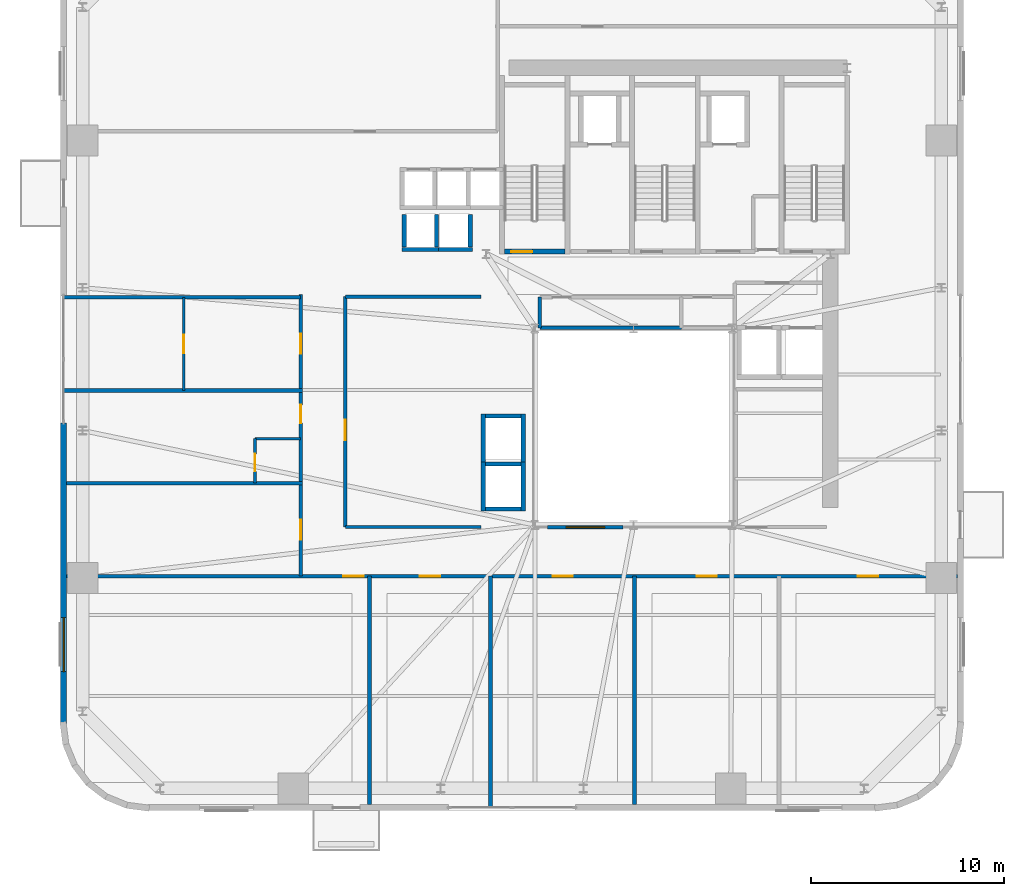
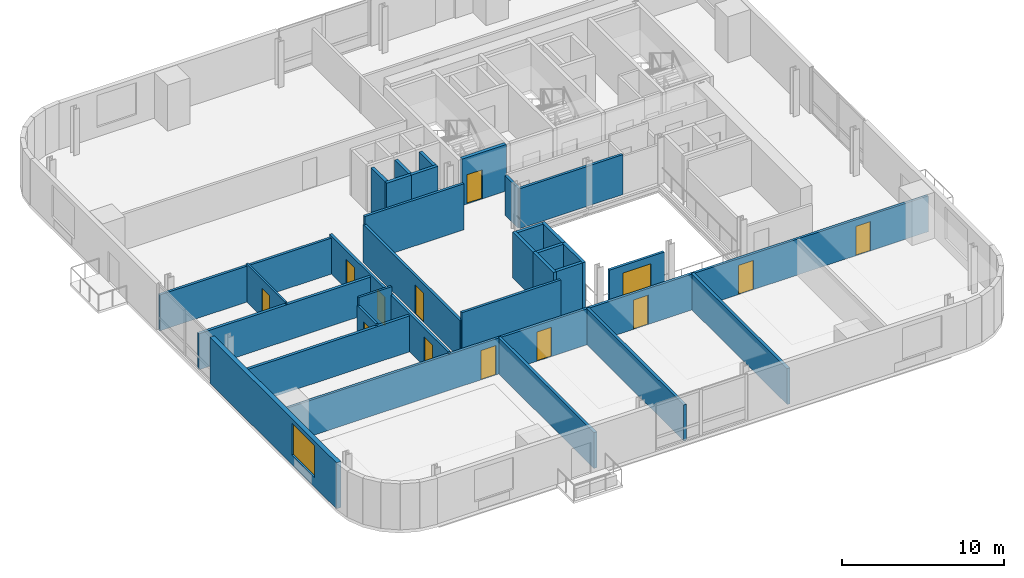
# One storey, part 6 of 12: 31 walls, 12 doors, 2 windows, 14 openings.
"""IFC4 building model written with IfcOpenShell, lengths in metres."""

from ifc_helpers import new_model, si_unit, direction, frame, frame_2d, origin, place, context, subcontext, project, spatial, rectangle, extrude, source, transform, mapped, material, layer, layer_set, type_object, element, fill, save


model = new_model("IFC4")

# Units and contexts
model_context = context("Model", 3, precision=1e-05, world=origin(), true_north=direction((0.0, 1.0)))
body_context = subcontext(model_context, "Body", "Model", "MODEL_VIEW")
ifc_project = project(units=[si_unit("LENGTHUNIT", "METRE"), si_unit("AREAUNIT", "SQUARE_METRE"), si_unit("VOLUMEUNIT", "CUBIC_METRE"), si_unit("PLANEANGLEUNIT", "RADIAN"), si_unit("MASSUNIT", "GRAM", prefix="KILO")], contexts=[model_context])

# Site, building, storey
site_placement = place(None, origin())
site = spatial("IfcSite", under=ifc_project, at=site_placement, CompositionType="ELEMENT")
building_placement = place(site_placement, origin())
building = spatial("IfcBuilding", under=site, at=building_placement, Name="Vardaveli Station Tower", CompositionType="ELEMENT")
storey_placement = place(building_placement, frame((0.0, 0.0, 118.699951171875)))
storey = spatial("IfcBuildingStorey", under=building, at=storey_placement, Name="L30", CompositionType="ELEMENT", Elevation=118.699951171875)

# Wall, opening, window
ifc_material_1 = material(Name="Precast concrete C45/55", Category="concrete")
ifc_layer_1 = layer(ifc_material_1, 0.320068359375, Name="Precast concrete C45/55")
ifc_layer_set_1 = layer_set([ifc_layer_1], Name="Precast concrete C45/55")
wall_type_1 = type_object("IfcWallType", Name="WAL-EXT-STONE-320", PredefinedType="SOLIDWALL", material=ifc_layer_set_1)
shared_shape_1 = source(origin(), body_context, "Body", "SweptSolid", [
    extrude(rectangle(XDim=15.599853515625, YDim=0.320068359375, at=frame_2d((7.7998046875, 0.0))), origin(), (0.0, 0.0, 1.0), 3.4599609375),
])
wall_1_placement = place(storey_placement, frame((6.760009765625, 21.89990234375, 0.0), z_axis=(0.0, 0.0, 1.0), x_axis=(0.0, -1.0, 0.0)))
wall_1 = element("IfcWall", 1, at=wall_1_placement, inside=storey, type_object=wall_type_1, Name="EW-L30-W2", PredefinedType="SOLIDWALL", context=body_context, shape_type="MappedRepresentation", body=[
    mapped(shared_shape_1, transform((0.0, 0.0, 0.0), scale=1.0)),
])
shared_shape_2 = source(origin(), body_context, "Body", "SweptSolid", [
    extrude(rectangle(XDim=2.800048828125, YDim=2.39990234375, at=frame_2d((1.39990234375, 1.199951171875))), frame((0.0, 0.169921875, 0.0), z_axis=(0.0, -1.0, 0.0), x_axis=(1.0, 0.0, 0.0)), (0.0, 0.0, 1.0), 0.340087890625),
])
opening_1_placement = place(wall_1_placement, frame((10.094970703125, 0.0, 0.719970703125)))
opening_1 = element("IfcOpeningElement", 2, at=opening_1_placement, cuts=wall_1, Name="Opening W-04", PredefinedType="OPENING", context=body_context, shape_type="MappedRepresentation", body=[
    mapped(shared_shape_2, transform((0.0, 0.0, 0.0), scale=1.0)),
])
ifc_material_2 = material(Name="Low-E solar-control glass", Category="glass")
window_type_1 = type_object("IfcWindowType", Name="WIN-SUITE-2800x2400", PartitioningType="SINGLE_PANEL", PredefinedType="WINDOW", material=ifc_material_2)
shared_shape_3 = source(origin(), body_context, "Body", "SweptSolid", [
    extrude(rectangle(XDim=2.800048828125, YDim=2.39990234375, at=frame_2d((1.39990234375, 1.199951171875))), frame((0.0, 0.030029296875, 0.0), z_axis=(0.0, -1.0, 0.0), x_axis=(1.0, 0.0, 0.0)), (0.0, 0.0, 1.0), 0.06005859375),
])
window_1_placement = place(opening_1_placement, origin())
window_1 = element("IfcWindow", 3, at=window_1_placement, inside=storey, type_object=window_type_1, Name="WN-L30-W2", OverallHeight=2.39990234375, OverallWidth=2.800048828125, PartitioningType="SINGLE_PANEL", PredefinedType="WINDOW", context=body_context, shape_type="MappedRepresentation", body=[
    mapped(shared_shape_3, transform((0.0, 0.0, 0.0), scale=1.0)),
])
fill(opening_1, window_1)

# Wall, opening, door
ifc_material_3 = material(Name="Concrete C40/50", Category="concrete")
ifc_layer_2 = layer(ifc_material_3, 0.25, Name="Concrete C40/50")
ifc_layer_set_2 = layer_set([ifc_layer_2], Name="Concrete C40/50")
wall_type_2 = type_object("IfcWallType", Name="WAL-SHAFT-250", PredefinedType="SOLIDWALL", material=ifc_layer_set_2)
shared_shape_4 = source(origin(), body_context, "Body", "SweptSolid", [
    extrude(rectangle(XDim=3.14990234375, YDim=0.25, at=frame_2d((1.574951171875, 0.0))), origin(), (0.0, 0.0, 1.0), 3.5),
])
wall_2_placement = place(storey_placement, frame((29.60009765625, 30.77490234375, 0.0), z_axis=(0.0, 0.0, 1.0), x_axis=(1.0, 0.0, 0.0)))
wall_2 = element("IfcWall", 4, at=wall_2_placement, inside=storey, type_object=wall_type_2, Name="W-L30-ST-1S", PredefinedType="SOLIDWALL", context=body_context, shape_type="MappedRepresentation", body=[
    mapped(shared_shape_4, transform((0.0, 0.0, 0.0), scale=1.0)),
])
shared_shape_5 = source(origin(), body_context, "Body", "SweptSolid", [
    extrude(rectangle(XDim=1.10009765625, YDim=2.199951171875, at=frame_2d((0.550048828125, 1.10009765625))), frame((0.0, 0.135009765625, 0.0), z_axis=(0.0, -1.0, 0.0), x_axis=(1.0, 0.0, 0.0)), (0.0, 0.0, 1.0), 0.27001953125),
])
opening_2_placement = place(wall_2_placement, frame((0.35009765625, 0.0, 0.0)))
opening_2 = element("IfcOpeningElement", 5, at=opening_2_placement, cuts=wall_2, Name="Opening D-04", PredefinedType="OPENING", context=body_context, shape_type="MappedRepresentation", body=[
    mapped(shared_shape_5, transform((0.0, 0.0, 0.0), scale=1.0)),
])
ifc_material_4 = material(Name="Steel smokeproof fire doorset", Category="steel")
door_type_1 = type_object("IfcDoorType", Name="DR-ST-1100x2200", OperationType="NOTDEFINED", PredefinedType="DOOR", material=ifc_material_4)
shared_shape_6 = source(origin(), body_context, "Body", "SweptSolid", [
    extrude(rectangle(XDim=1.10009765625, YDim=2.199951171875, at=frame_2d((0.550048828125, 1.10009765625))), frame((0.0, 0.02490234375, 0.0), z_axis=(0.0, -1.0, 0.0), x_axis=(1.0, 0.0, 0.0)), (0.0, 0.0, 1.0), 0.050048828125),
])
door_1_placement = place(opening_2_placement, origin())
door_1 = element("IfcDoor", 6, at=door_1_placement, inside=storey, type_object=door_type_1, Name="DST-1-L30", OperationType="SINGLE_SWING_LEFT", OverallHeight=2.199951171875, OverallWidth=1.10009765625, PredefinedType="DOOR", context=body_context, shape_type="MappedRepresentation", body=[
    mapped(shared_shape_6, transform((0.0, 0.0, 0.0), scale=1.0)),
])
fill(opening_2, door_1)

# Walls
ifc_layer_3 = layer(ifc_material_3, 0.219970703125, Name="Concrete C40/50")
ifc_layer_set_3 = layer_set([ifc_layer_3], Name="Concrete C40/50")
wall_type_3 = type_object("IfcWallType", Name="WAL-FFLOBBY-220", PredefinedType="SOLIDWALL", material=ifc_layer_set_3)
shared_shape_7 = source(origin(), body_context, "Body", "SweptSolid", [
    extrude(rectangle(XDim=1.89013671875, YDim=0.219970703125, at=frame_2d((0.945068359375, 0.0))), origin(), (0.0, 0.0, 1.0), 3.4599609375),
])
for number, where, z_axis, x_axis, name in (
    (7, (24.304931640625, 30.889892578125, 0.0), (0.0, 0.0, 1.0), (1.0, 0.0, 0.0), "SHW-SHU-01-L30-S"),
    (8, (26.054931640625, 30.889892578125, 0.0), (0.0, 0.0, 1.0), (1.0, 0.0, 0.0), "SHW-SHU-02-L30-S"),
):
    element("IfcWall", number, at=place(storey_placement, frame(where, z_axis=z_axis, x_axis=x_axis)), inside=storey, type_object=wall_type_3, Name=name, PredefinedType="SOLIDWALL", context=body_context, shape_type="MappedRepresentation", body=[
        mapped(shared_shape_7, transform((0.0, 0.0, 0.0), scale=1.0)),
    ])
shared_shape_8 = source(origin(), body_context, "Body", "SweptSolid", [
    extrude(rectangle(XDim=1.699951171875, YDim=0.219970703125, at=frame_2d((0.85009765625, 0.0))), origin(), (0.0, 0.0, 1.0), 3.4599609375),
])
for number, where, z_axis, x_axis, name in (
    (9, (24.4150390625, 31.0, 0.0), (0.0, 0.0, 1.0), (0.0, 1.0, 0.0), "SHW-SHU-01-L30-W"),
    (10, (26.0849609375, 31.0, 0.0), (0.0, 0.0, 1.0), (0.0, 1.0, 0.0), "SHW-SHU-01-L30-E"),
    (11, (27.8349609375, 31.0, 0.0), (0.0, 0.0, 1.0), (0.0, 1.0, 0.0), "SHW-SHU-02-L30-E"),
):
    element("IfcWall", number, at=place(storey_placement, frame(where, z_axis=z_axis, x_axis=x_axis)), inside=storey, type_object=wall_type_3, Name=name, PredefinedType="SOLIDWALL", context=body_context, shape_type="MappedRepresentation", body=[
        mapped(shared_shape_8, transform((0.0, 0.0, 0.0), scale=1.0)),
    ])
shared_shape_9 = source(origin(), body_context, "Body", "SweptSolid", [
    extrude(rectangle(XDim=1.85009765625, YDim=0.219970703125, at=frame_2d((0.925048828125, 0.0))), origin(), (0.0, 0.0, 1.0), 3.4599609375),
])
for number, where, z_axis, x_axis, name in (
    (12, (28.625, 17.43994140625, 0.0), (0.0, 0.0, 1.0), (1.0, 0.0, 0.0), "SHW-OBS-01-L30-S"),
    (13, (28.625, 19.760009765625, 0.0), (0.0, 0.0, 1.0), (1.0, 0.0, 0.0), "SHW-OBS-01-L30-N"),
    (14, (28.625, 22.260009765625, 0.0), (0.0, 0.0, 1.0), (1.0, 0.0, 0.0), "SHW-OBS-02-L30-N"),
):
    element("IfcWall", number, at=place(storey_placement, frame(where, z_axis=z_axis, x_axis=x_axis)), inside=storey, type_object=wall_type_3, Name=name, PredefinedType="SOLIDWALL", context=body_context, shape_type="MappedRepresentation", body=[
        mapped(shared_shape_9, transform((0.0, 0.0, 0.0), scale=1.0)),
    ])
shared_shape_10 = source(origin(), body_context, "Body", "SweptSolid", [
    extrude(rectangle(XDim=2.5400390625, YDim=0.219970703125, at=frame_2d((1.27001953125, 0.0))), origin(), (0.0, 0.0, 1.0), 3.4599609375),
])
for number, where, z_axis, x_axis, name in (
    (15, (28.514892578125, 17.330078125, 0.0), (0.0, 0.0, 1.0), (0.0, 1.0, 0.0), "SHW-OBS-01-L30-W"),
    (16, (30.5849609375, 17.330078125, 0.0), (0.0, 0.0, 1.0), (0.0, 1.0, 0.0), "SHW-OBS-01-L30-E"),
    (17, (28.514892578125, 19.830078125, 0.0), (0.0, 0.0, 1.0), (0.0, 1.0, 0.0), "SHW-OBS-02-L30-W"),
    (18, (30.5849609375, 19.830078125, 0.0), (0.0, 0.0, 1.0), (0.0, 1.0, 0.0), "SHW-OBS-02-L30-E"),
):
    element("IfcWall", number, at=place(storey_placement, frame(where, z_axis=z_axis, x_axis=x_axis)), inside=storey, type_object=wall_type_3, Name=name, PredefinedType="SOLIDWALL", context=body_context, shape_type="MappedRepresentation", body=[
        mapped(shared_shape_10, transform((0.0, 0.0, 0.0), scale=1.0)),
    ])
ifc_material_5 = material(Name="Moisture-resistant stud partition")
ifc_layer_4 = layer(ifc_material_5, 0.14990234375, Name="Moisture-resistant stud partition")
ifc_layer_set_4 = layer_set([ifc_layer_4], Name="Moisture-resistant stud partition")
wall_type_4 = type_object("IfcWallType", Name="WAL-WET-150", PredefinedType="PARTITIONING", material=ifc_layer_set_4)
shared_shape_11 = source(origin(), body_context, "Body", "SweptSolid", [
    extrude(rectangle(XDim=2.360107421875, YDim=0.14990234375, at=frame_2d((1.18017578125, 0.0))), origin(), (0.0, 0.0, 1.0), 3.4599609375),
])
wall_3_placement = place(storey_placement, frame((16.679931640625, 21.076904296875, 0.0), z_axis=(0.0, 0.0, 1.0), x_axis=(1.0, 0.0, 0.0)))
element("IfcWall", 19, at=wall_3_placement, inside=storey, type_object=wall_type_4, Name="W-L30-BW2-N", PredefinedType="PARTITIONING", context=body_context, shape_type="MappedRepresentation", body=[
    mapped(shared_shape_11, transform((0.0, 0.0, 0.0), scale=1.0)),
])

# Wall, openings, doors
ifc_material_6 = material(Name="Fire-rated gypsum stud partition")
ifc_layer_5 = layer(ifc_material_6, 0.179931640625, Name="Fire-rated gypsum stud partition")
ifc_layer_set_5 = layer_set([ifc_layer_5], Name="Fire-rated gypsum stud partition")
wall_type_5 = type_object("IfcWallType", Name="WAL-CORR-180", PredefinedType="PARTITIONING", material=ifc_layer_set_5)
shared_shape_12 = source(origin(), body_context, "Body", "SweptSolid", [
    extrude(rectangle(XDim=14.60009765625, YDim=0.179931640625, at=frame_2d((7.300048828125, 0.0))), origin(), (0.0, 0.0, 1.0), 2.85205078125),
])
wall_4_placement = place(storey_placement, frame((19.0400390625, 13.949951171875, 0.0), z_axis=(0.0, 0.0, 1.0), x_axis=(0.0, 1.0, 0.0)))
wall_4 = element("IfcWall", 20, at=wall_4_placement, inside=storey, type_object=wall_type_5, Name="W-L30-CW", PredefinedType="PARTITIONING", context=body_context, shape_type="MappedRepresentation", body=[
    mapped(shared_shape_12, transform((0.0, 0.0, 0.0), scale=1.0)),
])
shared_shape_13 = source(origin(), body_context, "Body", "SweptSolid", [
    extrude(rectangle(XDim=1.050048828125, YDim=2.199951171875, at=frame_2d((0.52490234375, 1.10009765625))), frame((0.0, 0.10009765625, 0.0), z_axis=(0.0, -1.0, 0.0), x_axis=(1.0, 0.0, 0.0)), (0.0, 0.0, 1.0), 0.199951171875),
])
opening_3_placement = place(wall_4_placement, frame((1.888427734375, 0.0, 0.0)))
opening_3 = element("IfcOpeningElement", 21, at=opening_3_placement, cuts=wall_4, Name="Opening D-05", PredefinedType="OPENING", context=body_context, shape_type="MappedRepresentation", body=[
    mapped(shared_shape_13, transform((0.0, 0.0, 0.0), scale=1.0)),
])
shared_shape_14 = source(origin(), body_context, "Body", "SweptSolid", [
    extrude(rectangle(XDim=0.949951171875, YDim=2.14990234375, at=frame_2d((0.47509765625, 1.074951171875))), frame((0.0, 0.10009765625, 0.0), z_axis=(0.0, -1.0, 0.0), x_axis=(1.0, 0.0, 0.0)), (0.0, 0.0, 1.0), 0.199951171875),
])
opening_4_placement = place(wall_4_placement, frame((7.929931640625, 0.0, 0.0)))
opening_4 = element("IfcOpeningElement", 22, at=opening_4_placement, cuts=wall_4, Name="Opening D-06", PredefinedType="OPENING", context=body_context, shape_type="MappedRepresentation", body=[
    mapped(shared_shape_14, transform((0.0, 0.0, 0.0), scale=1.0)),
])
opening_5_placement = place(wall_4_placement, frame((11.521728515625, 0.0, 0.0)))
opening_5 = element("IfcOpeningElement", 23, at=opening_5_placement, cuts=wall_4, Name="Opening D-05", PredefinedType="OPENING", context=body_context, shape_type="MappedRepresentation", body=[
    mapped(shared_shape_13, transform((0.0, 0.0, 0.0), scale=1.0)),
])
ifc_material_7 = material(Name="Walnut veneer acoustic fire door")
door_type_2 = type_object("IfcDoorType", Name="DR-SUITE-1050x2200", OperationType="NOTDEFINED", PredefinedType="DOOR", material=ifc_material_7)
shared_shape_15 = source(origin(), body_context, "Body", "SweptSolid", [
    extrude(rectangle(XDim=1.050048828125, YDim=2.199951171875, at=frame_2d((0.52490234375, 1.10009765625))), frame((0.0, 0.02490234375, 0.0), z_axis=(0.0, -1.0, 0.0), x_axis=(1.0, 0.0, 0.0)), (0.0, 0.0, 1.0), 0.050048828125),
])
door_2_placement = place(opening_3_placement, origin())
door_2 = element("IfcDoor", 24, at=door_2_placement, inside=storey, type_object=door_type_2, Name="D-L30-GW1", OperationType="SINGLE_SWING_LEFT", OverallHeight=2.199951171875, OverallWidth=1.050048828125, PredefinedType="DOOR", context=body_context, shape_type="MappedRepresentation", body=[
    mapped(shared_shape_15, transform((0.0, 0.0, 0.0), scale=1.0)),
])
fill(opening_3, door_2)
door_3_placement = place(opening_5_placement, origin())
door_3 = element("IfcDoor", 25, at=door_3_placement, inside=storey, type_object=door_type_2, Name="D-L30-GW3", OperationType="SINGLE_SWING_LEFT", OverallHeight=2.199951171875, OverallWidth=1.050048828125, PredefinedType="DOOR", context=body_context, shape_type="MappedRepresentation", body=[
    mapped(shared_shape_15, transform((0.0, 0.0, 0.0), scale=1.0)),
])
fill(opening_5, door_3)
ifc_material_8 = material(Name="Oak veneer acoustic fire door")
door_type_3 = type_object("IfcDoorType", Name="DR-GUEST-950x2150", OperationType="NOTDEFINED", PredefinedType="DOOR", material=ifc_material_8)
shared_shape_16 = source(origin(), body_context, "Body", "SweptSolid", [
    extrude(rectangle(XDim=0.949951171875, YDim=2.14990234375, at=frame_2d((0.47509765625, 1.074951171875))), frame((0.0, 0.02490234375, 0.0), z_axis=(0.0, -1.0, 0.0), x_axis=(1.0, 0.0, 0.0)), (0.0, 0.0, 1.0), 0.050048828125),
])
door_4_placement = place(opening_4_placement, origin())
door_4 = element("IfcDoor", 26, at=door_4_placement, inside=storey, type_object=door_type_3, Name="D-L30-GW2", OperationType="SINGLE_SWING_RIGHT", OverallHeight=2.14990234375, OverallWidth=0.949951171875, PredefinedType="DOOR", context=body_context, shape_type="MappedRepresentation", body=[
    mapped(shared_shape_16, transform((0.0, 0.0, 0.0), scale=1.0)),
])
fill(opening_4, door_4)

# Wall, opening, door
ifc_material_9 = material(Name="Gypsum board stud partition")
ifc_layer_6 = layer(ifc_material_9, 0.125, Name="Gypsum board stud partition")
ifc_layer_set_6 = layer_set([ifc_layer_6], Name="Gypsum board stud partition")
wall_type_6 = type_object("IfcWallType", Name="WAL-INT-125", PredefinedType="PARTITIONING", material=ifc_layer_set_6)
shared_shape_17 = source(origin(), body_context, "Body", "SweptSolid", [
    extrude(rectangle(XDim=4.81689453125, YDim=0.125, at=frame_2d((2.408447265625, 0.0))), origin(), (0.0, 0.0, 1.0), 2.85205078125),
])
wall_5_placement = place(storey_placement, frame((12.9951171875, 23.5830078125, 0.0), z_axis=(0.0, 0.0, 1.0), x_axis=(0.0, 1.0, 0.0)))
wall_5 = element("IfcWall", 27, at=wall_5_placement, inside=storey, type_object=wall_type_6, Name="W-L30-WCM3", PredefinedType="PARTITIONING", context=body_context, shape_type="MappedRepresentation", body=[
    mapped(shared_shape_17, transform((0.0, 0.0, 0.0), scale=1.0)),
])
shared_shape_18 = source(origin(), body_context, "Body", "SweptSolid", [
    extrude(rectangle(XDim=0.949951171875, YDim=2.14990234375, at=frame_2d((0.47509765625, 1.074951171875))), frame((0.0, 0.072509765625, 0.0), z_axis=(0.0, -1.0, 0.0), x_axis=(1.0, 0.0, 0.0)), (0.0, 0.0, 1.0), 0.14501953125),
])
opening_6_placement = place(wall_5_placement, frame((1.92822265625, 0.0, 0.0)))
opening_6 = element("IfcOpeningElement", 28, at=opening_6_placement, cuts=wall_5, Name="Opening D-11", PredefinedType="OPENING", context=body_context, shape_type="MappedRepresentation", body=[
    mapped(shared_shape_18, transform((0.0, 0.0, 0.0), scale=1.0)),
])
ifc_material_10 = material(Name="Oak veneer internal suite door")
door_type_4 = type_object("IfcDoorType", Name="DR-INT-950x2150", OperationType="NOTDEFINED", PredefinedType="DOOR", material=ifc_material_10)
door_5_placement = place(opening_6_placement, origin())
door_5 = element("IfcDoor", 29, at=door_5_placement, inside=storey, type_object=door_type_4, Name="D-L30-GWF3", OperationType="SINGLE_SWING_RIGHT", OverallHeight=2.14990234375, OverallWidth=0.949951171875, PredefinedType="DOOR", context=body_context, shape_type="MappedRepresentation", body=[
    mapped(shared_shape_16, transform((0.0, 0.0, 0.0), scale=1.0)),
])
fill(opening_6, door_5)

shared_shape_19 = source(origin(), body_context, "Body", "SweptSolid", [
    extrude(rectangle(XDim=2.289794921875, YDim=0.14990234375, at=frame_2d((1.14501953125, 0.0))), origin(), (0.0, 0.0, 1.0), 2.85205078125),
])
wall_6_placement = place(storey_placement, frame((16.679931640625, 18.787109375, 0.0), z_axis=(0.0, 0.0, 1.0), x_axis=(0.0, 1.0, 0.0)))
wall_6 = element("IfcWall", 30, at=wall_6_placement, inside=storey, type_object=wall_type_4, Name="W-L30-BW2-W", PredefinedType="PARTITIONING", context=body_context, shape_type="MappedRepresentation", body=[
    mapped(shared_shape_19, transform((0.0, 0.0, 0.0), scale=1.0)),
])
shared_shape_20 = source(origin(), body_context, "Body", "SweptSolid", [
    extrude(rectangle(XDim=0.89990234375, YDim=2.10009765625, at=frame_2d((0.449951171875, 1.050048828125))), frame((0.0, 0.0849609375, 0.0), z_axis=(0.0, -1.0, 0.0), x_axis=(1.0, 0.0, 0.0)), (0.0, 0.0, 1.0), 0.169921875),
])
opening_7_placement = place(wall_6_placement, frame((0.60009765625, 0.0, 0.0)))
opening_7 = element("IfcOpeningElement", 31, at=opening_7_placement, cuts=wall_6, Name="Opening D-08", PredefinedType="OPENING", context=body_context, shape_type="MappedRepresentation", body=[
    mapped(shared_shape_20, transform((0.0, 0.0, 0.0), scale=1.0)),
])
ifc_material_11 = material(Name="Moisture-resistant oak door")
door_type_5 = type_object("IfcDoorType", Name="DR-BATH-900x2100", OperationType="NOTDEFINED", PredefinedType="DOOR", material=ifc_material_11)
shared_shape_21 = source(origin(), body_context, "Body", "SweptSolid", [
    extrude(rectangle(XDim=0.89990234375, YDim=2.10009765625, at=frame_2d((0.449951171875, 1.050048828125))), frame((0.0, 0.02490234375, 0.0), z_axis=(0.0, -1.0, 0.0), x_axis=(1.0, 0.0, 0.0)), (0.0, 0.0, 1.0), 0.050048828125),
])
door_6_placement = place(opening_7_placement, origin())
door_6 = element("IfcDoor", 32, at=door_6_placement, inside=storey, type_object=door_type_5, Name="D-L30-BW2", OperationType="SINGLE_SWING_RIGHT", OverallHeight=2.10009765625, OverallWidth=0.89990234375, PredefinedType="DOOR", context=body_context, shape_type="MappedRepresentation", body=[
    mapped(shared_shape_21, transform((0.0, 0.0, 0.0), scale=1.0)),
])
fill(opening_7, door_6)

# Walls
shared_shape_22 = source(origin(), body_context, "Body", "SweptSolid", [
    extrude(rectangle(XDim=7.039794921875, YDim=0.179931640625, at=frame_2d((3.52001953125, 0.0))), origin(), (0.0, 0.0, 1.0), 3.4599609375),
])
for number, where, z_axis, x_axis, name in (
    (33, (21.360107421875, 16.5, 0.0), (0.0, 0.0, 1.0), (1.0, 0.0, 0.0), "W-L30-ATW-S"),
    (34, (21.360107421875, 28.43994140625, 0.0), (0.0, 0.0, 1.0), (1.0, 0.0, 0.0), "W-L30-ATW-N"),
):
    element("IfcWall", number, at=place(storey_placement, frame(where, z_axis=z_axis, x_axis=x_axis)), inside=storey, type_object=wall_type_5, Name=name, PredefinedType="PARTITIONING", context=body_context, shape_type="MappedRepresentation", body=[
        mapped(shared_shape_22, transform((0.0, 0.0, 0.0), scale=1.0)),
    ])
shared_shape_23 = source(origin(), body_context, "Body", "SweptSolid", [
    extrude(rectangle(XDim=1.599853515625, YDim=0.179931640625, at=frame_2d((0.7998046875, 0.0))), origin(), (0.0, 0.0, 1.0), 3.001953125),
])
wall_7_placement = place(storey_placement, frame((31.449951171875, 26.820068359375, 0.0), z_axis=(0.0, 0.0, 1.0), x_axis=(0.0, 1.0, 0.0)))
element("IfcWall", 35, at=wall_7_placement, inside=storey, type_object=wall_type_5, Name="W-L30-HKP0-W", PredefinedType="PARTITIONING", context=body_context, shape_type="MappedRepresentation", body=[
    mapped(shared_shape_23, transform((0.0, 0.0, 0.0), scale=1.0)),
])

# Wall, openings, doors
shared_shape_24 = source(origin(), body_context, "Body", "SweptSolid", [
    extrude(rectangle(XDim=46.15576171875, YDim=0.179931640625, at=frame_2d((23.077880859375, 0.0))), origin(), (0.0, 0.0, 1.0), 2.7021484375),
])
wall_8_placement = place(storey_placement, frame((6.922119140625, 13.949951171875, 0.0), z_axis=(0.0, 0.0, 1.0), x_axis=(1.0, 0.0, 0.0)))
wall_8 = element("IfcWall", 36, at=wall_8_placement, inside=storey, type_object=wall_type_5, Name="W-L30-CS", PredefinedType="PARTITIONING", context=body_context, shape_type="MappedRepresentation", body=[
    mapped(shared_shape_24, transform((0.0, 0.0, 0.0), scale=1.0)),
])
opening_8_placement = place(wall_8_placement, frame((14.33837890625, 0.0, 0.0)))
opening_8 = element("IfcOpeningElement", 37, at=opening_8_placement, cuts=wall_8, Name="Opening D-05", PredefinedType="OPENING", context=body_context, shape_type="MappedRepresentation", body=[
    mapped(shared_shape_13, transform((0.0, 0.0, 0.0), scale=1.0)),
])
opening_9_placement = place(wall_8_placement, frame((18.3046875, 0.0, 0.0)))
opening_9 = element("IfcOpeningElement", 38, at=opening_9_placement, cuts=wall_8, Name="Opening D-05", PredefinedType="OPENING", context=body_context, shape_type="MappedRepresentation", body=[
    mapped(shared_shape_13, transform((0.0, 0.0, 0.0), scale=1.0)),
])
opening_10_placement = place(wall_8_placement, frame((25.177978515625, 0.0, 0.0)))
opening_10 = element("IfcOpeningElement", 39, at=opening_10_placement, cuts=wall_8, Name="Opening D-05", PredefinedType="OPENING", context=body_context, shape_type="MappedRepresentation", body=[
    mapped(shared_shape_13, transform((0.0, 0.0, 0.0), scale=1.0)),
])
opening_11_placement = place(wall_8_placement, frame((32.6513671875, 0.0, 0.0)))
opening_11 = element("IfcOpeningElement", 40, at=opening_11_placement, cuts=wall_8, Name="Opening D-05", PredefinedType="OPENING", context=body_context, shape_type="MappedRepresentation", body=[
    mapped(shared_shape_13, transform((0.0, 0.0, 0.0), scale=1.0)),
])
opening_12_placement = place(wall_8_placement, frame((40.998046875, 0.0, 0.0)))
opening_12 = element("IfcOpeningElement", 41, at=opening_12_placement, cuts=wall_8, Name="Opening D-05", PredefinedType="OPENING", context=body_context, shape_type="MappedRepresentation", body=[
    mapped(shared_shape_13, transform((0.0, 0.0, 0.0), scale=1.0)),
])
door_7_placement = place(opening_8_placement, origin())
door_7 = element("IfcDoor", 42, at=door_7_placement, inside=storey, type_object=door_type_2, Name="D-L30-SA1", OperationType="SINGLE_SWING_RIGHT", OverallHeight=2.199951171875, OverallWidth=1.050048828125, PredefinedType="DOOR", context=body_context, shape_type="MappedRepresentation", body=[
    mapped(shared_shape_15, transform((0.0, 0.0, 0.0), scale=1.0)),
])
fill(opening_8, door_7)
door_8_placement = place(opening_9_placement, origin())
door_8 = element("IfcDoor", 43, at=door_8_placement, inside=storey, type_object=door_type_2, Name="D-L30-SA2", OperationType="SINGLE_SWING_LEFT", OverallHeight=2.199951171875, OverallWidth=1.050048828125, PredefinedType="DOOR", context=body_context, shape_type="MappedRepresentation", body=[
    mapped(shared_shape_15, transform((0.0, 0.0, 0.0), scale=1.0)),
])
fill(opening_9, door_8)
door_9_placement = place(opening_10_placement, origin())
door_9 = element("IfcDoor", 44, at=door_9_placement, inside=storey, type_object=door_type_2, Name="D-L30-SA3", OperationType="SINGLE_SWING_RIGHT", OverallHeight=2.199951171875, OverallWidth=1.050048828125, PredefinedType="DOOR", context=body_context, shape_type="MappedRepresentation", body=[
    mapped(shared_shape_15, transform((0.0, 0.0, 0.0), scale=1.0)),
])
fill(opening_10, door_9)
door_10_placement = place(opening_11_placement, origin())
door_10 = element("IfcDoor", 45, at=door_10_placement, inside=storey, type_object=door_type_2, Name="D-L30-SA4", OperationType="SINGLE_SWING_LEFT", OverallHeight=2.199951171875, OverallWidth=1.050048828125, PredefinedType="DOOR", context=body_context, shape_type="MappedRepresentation", body=[
    mapped(shared_shape_15, transform((0.0, 0.0, 0.0), scale=1.0)),
])
fill(opening_11, door_10)
door_11_placement = place(opening_12_placement, origin())
door_11 = element("IfcDoor", 46, at=door_11_placement, inside=storey, type_object=door_type_2, Name="D-L30-SA5", OperationType="SINGLE_SWING_RIGHT", OverallHeight=2.199951171875, OverallWidth=1.050048828125, PredefinedType="DOOR", context=body_context, shape_type="MappedRepresentation", body=[
    mapped(shared_shape_15, transform((0.0, 0.0, 0.0), scale=1.0)),
])
fill(opening_12, door_11)

# Wall, opening, door
shared_shape_25 = source(origin(), body_context, "Body", "SweptSolid", [
    extrude(rectangle(XDim=11.93994140625, YDim=0.179931640625, at=frame_2d((5.969970703125, 0.0))), origin(), (0.0, 0.0, 1.0), 2.85205078125),
])
wall_9_placement = place(storey_placement, frame((21.360107421875, 16.5, 0.0), z_axis=(0.0, 0.0, 1.0), x_axis=(0.0, 1.0, 0.0)))
wall_9 = element("IfcWall", 47, at=wall_9_placement, inside=storey, type_object=wall_type_5, Name="W-L30-ATW-W", PredefinedType="PARTITIONING", context=body_context, shape_type="MappedRepresentation", body=[
    mapped(shared_shape_25, transform((0.0, 0.0, 0.0), scale=1.0)),
])
opening_13_placement = place(wall_9_placement, frame((4.5, 0.0, 0.0)))
opening_13 = element("IfcOpeningElement", 48, at=opening_13_placement, cuts=wall_9, Name="Opening D-05", PredefinedType="OPENING", context=body_context, shape_type="MappedRepresentation", body=[
    mapped(shared_shape_13, transform((0.0, 0.0, 0.0), scale=1.0)),
])
door_12_placement = place(opening_13_placement, origin())
door_12 = element("IfcDoor", 49, at=door_12_placement, inside=storey, type_object=door_type_2, Name="D-L30-ATW1", OperationType="SINGLE_SWING_RIGHT", OverallHeight=2.199951171875, OverallWidth=1.050048828125, PredefinedType="DOOR", context=body_context, shape_type="MappedRepresentation", body=[
    mapped(shared_shape_15, transform((0.0, 0.0, 0.0), scale=1.0)),
])
fill(opening_13, door_12)

# Walls
ifc_material_12 = material(Name="Acoustic twin-stud gypsum partition")
ifc_layer_7 = layer(ifc_material_12, 0.199951171875, Name="Acoustic twin-stud gypsum partition")
ifc_layer_set_7 = layer_set([ifc_layer_7], Name="Acoustic twin-stud gypsum partition")
wall_type_7 = type_object("IfcWallType", Name="WAL-PARTY-200", PredefinedType="PARTITIONING", material=ifc_layer_set_7)
shared_shape_26 = source(origin(), body_context, "Body", "SweptSolid", [
    extrude(rectangle(XDim=12.2177734375, YDim=0.199951171875, at=frame_2d((6.10888671875, 0.0))), origin(), (0.0, 0.0, 1.0), 2.7021484375),
])
wall_10_placement = place(storey_placement, frame((6.922119140625, 18.76708984375, 0.0), z_axis=(0.0, 0.0, 1.0), x_axis=(1.0, 0.0, 0.0)))
element("IfcWall", 50, at=wall_10_placement, inside=storey, type_object=wall_type_7, Name="W-L30-PW1", PredefinedType="PARTITIONING", context=body_context, shape_type="MappedRepresentation", body=[
    mapped(shared_shape_26, transform((0.0, 0.0, 0.0), scale=1.0)),
])
shared_shape_27 = source(origin(), body_context, "Body", "SweptSolid", [
    extrude(rectangle(XDim=12.409912109375, YDim=0.199951171875, at=frame_2d((6.205078125, 0.0))), origin(), (0.0, 0.0, 1.0), 2.7021484375),
])
wall_11_placement = place(storey_placement, frame((6.72998046875, 23.5830078125, 0.0), z_axis=(0.0, 0.0, 1.0), x_axis=(1.0, 0.0, 0.0)))
element("IfcWall", 51, at=wall_11_placement, inside=storey, type_object=wall_type_7, Name="W-L30-PW2", PredefinedType="PARTITIONING", context=body_context, shape_type="MappedRepresentation", body=[
    mapped(shared_shape_27, transform((0.0, 0.0, 0.0), scale=1.0)),
])
shared_shape_28 = source(origin(), body_context, "Body", "SweptSolid", [
    extrude(rectangle(XDim=12.31005859375, YDim=0.179931640625, at=frame_2d((6.155029296875, 0.0))), origin(), (0.0, 0.0, 1.0), 2.7021484375),
])
wall_12_placement = place(storey_placement, frame((6.72998046875, 28.39990234375, 0.0), z_axis=(0.0, 0.0, 1.0), x_axis=(1.0, 0.0, 0.0)))
element("IfcWall", 52, at=wall_12_placement, inside=storey, type_object=wall_type_5, Name="W-L30-CWN", PredefinedType="PARTITIONING", context=body_context, shape_type="MappedRepresentation", body=[
    mapped(shared_shape_28, transform((0.0, 0.0, 0.0), scale=1.0)),
])
shared_shape_29 = source(origin(), body_context, "Body", "SweptSolid", [
    extrude(rectangle(XDim=11.827880859375, YDim=0.199951171875, at=frame_2d((5.9140625, 0.0))), origin(), (0.0, 0.0, 1.0), 2.7021484375),
])
for number, where, z_axis, x_axis, name in (
    (53, (22.610107421875, 2.1220703125, 0.0), (0.0, 0.0, 1.0), (0.0, 1.0, 0.0), "W-L30-PS1"),
    (54, (36.35693359375, 2.1220703125, 0.0), (0.0, 0.0, 1.0), (0.0, 1.0, 0.0), "W-L30-PS3"),
):
    element("IfcWall", number, at=place(storey_placement, frame(where, z_axis=z_axis, x_axis=x_axis)), inside=storey, type_object=wall_type_7, Name=name, PredefinedType="PARTITIONING", context=body_context, shape_type="MappedRepresentation", body=[
        mapped(shared_shape_29, transform((0.0, 0.0, 0.0), scale=1.0)),
    ])
shared_shape_30 = source(origin(), body_context, "Body", "SweptSolid", [
    extrude(rectangle(XDim=12.02001953125, YDim=0.199951171875, at=frame_2d((6.010009765625, 0.0))), origin(), (0.0, 0.0, 1.0), 2.7021484375),
])
wall_13_placement = place(storey_placement, frame((28.883056640625, 1.929931640625, 0.0), z_axis=(0.0, 0.0, 1.0), x_axis=(0.0, 1.0, 0.0)))
element("IfcWall", 55, at=wall_13_placement, inside=storey, type_object=wall_type_7, Name="W-L30-PS2", PredefinedType="PARTITIONING", context=body_context, shape_type="MappedRepresentation", body=[
    mapped(shared_shape_30, transform((0.0, 0.0, 0.0), scale=1.0)),
])
shared_shape_31 = source(origin(), body_context, "Body", "SweptSolid", [
    extrude(rectangle(XDim=7.330078125, YDim=0.179931640625, at=frame_2d((3.6650390625, 0.0))), origin(), (0.0, 0.0, 1.0), 3.001953125),
])
wall_14_placement = place(storey_placement, frame((31.449951171875, 26.820068359375, 0.0), z_axis=(0.0, 0.0, 1.0), x_axis=(1.0, 0.0, 0.0)))
element("IfcWall", 56, at=wall_14_placement, inside=storey, type_object=wall_type_5, Name="W-L30-HKP0-S", PredefinedType="PARTITIONING", context=body_context, shape_type="MappedRepresentation", body=[
    mapped(shared_shape_31, transform((0.0, 0.0, 0.0), scale=1.0)),
])

# Wall, opening, window
shared_shape_32 = source(origin(), body_context, "Body", "SweptSolid", [
    extrude(rectangle(XDim=3.89990234375, YDim=0.179931640625, at=frame_2d((1.949951171875, 0.0))), origin(), (0.0, 0.0, 1.0), 3.001953125),
])
wall_15_placement = place(storey_placement, frame((31.85009765625, 16.47998046875, 0.0), z_axis=(0.0, 0.0, 1.0), x_axis=(1.0, 0.0, 0.0)))
wall_15 = element("IfcWall", 57, at=wall_15_placement, inside=storey, type_object=wall_type_5, Name="WAT-L30-S", PredefinedType="PARTITIONING", context=body_context, shape_type="MappedRepresentation", body=[
    mapped(shared_shape_32, transform((0.0, 0.0, 0.0), scale=1.0)),
])
shared_shape_33 = source(origin(), body_context, "Body", "SweptSolid", [
    extrude(rectangle(XDim=2.0, YDim=1.89990234375, at=frame_2d((1.0, 0.949951171875))), frame((0.0, 0.10009765625, 0.0), z_axis=(0.0, -1.0, 0.0), x_axis=(1.0, 0.0, 0.0)), (0.0, 0.0, 1.0), 0.199951171875),
])
opening_14_placement = place(wall_15_placement, frame((0.949951171875, 0.0, 0.550048828125)))
opening_14 = element("IfcOpeningElement", 58, at=opening_14_placement, cuts=wall_15, Name="Opening W-07", PredefinedType="OPENING", context=body_context, shape_type="MappedRepresentation", body=[
    mapped(shared_shape_33, transform((0.0, 0.0, 0.0), scale=1.0)),
])
ifc_material_13 = material(Name="Tempered EI 60 fire-rated glass", Category="glass")
window_type_2 = type_object("IfcWindowType", Name="WIN-ATRIUM-2000x2400", PartitioningType="SINGLE_PANEL", PredefinedType="WINDOW", material=ifc_material_13)
shared_shape_34 = source(origin(), body_context, "Body", "SweptSolid", [
    extrude(rectangle(XDim=2.0, YDim=1.89990234375, at=frame_2d((1.0, 0.949951171875))), frame((0.0, 0.030029296875, 0.0), z_axis=(0.0, -1.0, 0.0), x_axis=(1.0, 0.0, 0.0)), (0.0, 0.0, 1.0), 0.06005859375),
])
window_2_placement = place(opening_14_placement, origin())
window_2 = element("IfcWindow", 59, at=window_2_placement, inside=storey, type_object=window_type_2, Name="WNAT-L30-1", OverallHeight=1.89990234375, OverallWidth=2.0, PartitioningType="SINGLE_PANEL", PredefinedType="WINDOW", context=body_context, shape_type="MappedRepresentation", body=[
    mapped(shared_shape_34, transform((0.0, 0.0, 0.0), scale=1.0)),
])
fill(opening_14, window_2)

save(model, "model.ifc")
